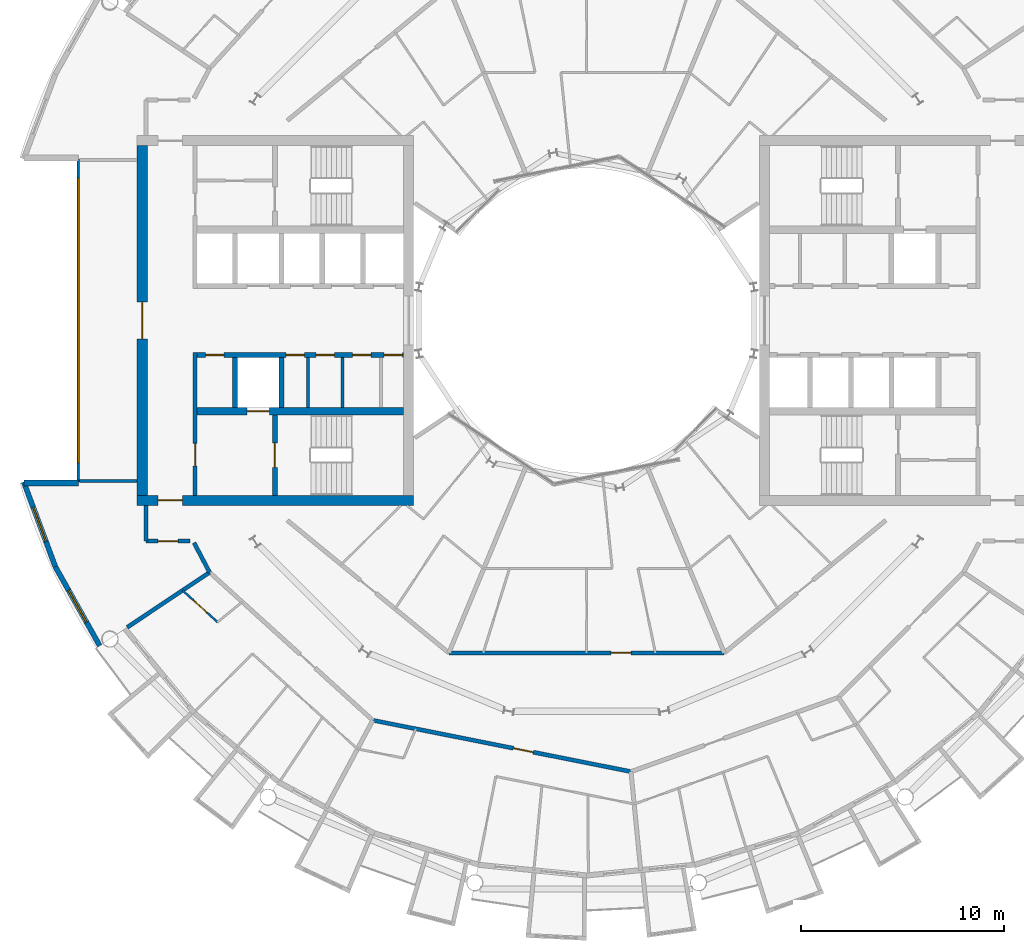
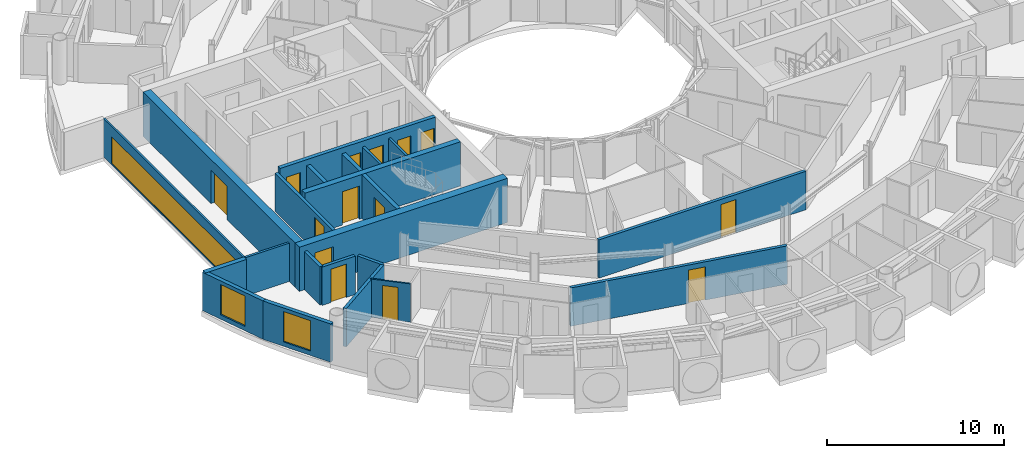
# One storey, part 15 of 26: 22 walls, 14 doors, 3 windows, 17 openings.
"""IFC4 building model written with IfcOpenShell, lengths in metres."""

from ifc_helpers import new_model, si_unit, direction, frame, frame_2d, origin, place, context, subcontext, project, spatial, rectangle, extrude, material, layer, layer_set, type_object, element, fill, save


model = new_model("IFC4")

# Units and contexts
model_context = context("Model", 3, precision=1e-05, world=origin(), true_north=direction((0.0, 1.0)))
body_context = subcontext(model_context, "Body", "Model", "MODEL_VIEW")
ifc_project = project(units=[si_unit("LENGTHUNIT", "METRE"), si_unit("AREAUNIT", "SQUARE_METRE"), si_unit("VOLUMEUNIT", "CUBIC_METRE"), si_unit("PLANEANGLEUNIT", "RADIAN"), si_unit("MASSUNIT", "GRAM", prefix="KILO")], contexts=[model_context])

# Site, building, storey
site_placement = place(None, origin())
site = spatial("IfcSite", under=ifc_project, at=site_placement, CompositionType="ELEMENT")
building_placement = place(site_placement, origin())
building = spatial("IfcBuilding", under=site, at=building_placement, Name="Maasbend Ring Residences", CompositionType="ELEMENT")
storey_placement = place(building_placement, frame((0.0, 0.0, 176.85009765625)))
storey = spatial("IfcBuildingStorey", under=building, at=storey_placement, Name="L51", CompositionType="ELEMENT", Elevation=176.85009765625)

# Wall, openings, doors
ifc_material_1 = material(Name="Concrete C60/75", Category="concrete")
ifc_layer_1 = layer(ifc_material_1, 0.25)
ifc_layer_set_1 = layer_set([ifc_layer_1], Name="Concrete C60/75")
wall_type_1 = type_object("IfcWallType", Name="CORE WALL 250 C60/75", PredefinedType="SHEAR", material=ifc_layer_set_1)
wall_1_placement = place(storey_placement, frame((-9.0, -1.699951171875, 0.0), z_axis=(0.0, 0.0, 1.0), x_axis=(-1.0, 0.0, 0.0)))
wall_1 = element("IfcWall", 1, at=wall_1_placement, inside=storey, type_object=wall_type_1, Name="L51 core W wall SPN", PredefinedType="SHEAR", context=body_context, shape_type="SweptSolid", body=[
    extrude(rectangle(XDim=10.14990234375, YDim=0.25, at=frame_2d((5.074951171875, 0.0))), origin(), (0.0, 0.0, 1.0), 3.0498046875),
])
opening_1_placement = place(wall_1_placement, frame((0.0625, 0.0, 0.0)))
opening_1 = element("IfcOpeningElement", 2, at=opening_1_placement, cuts=wall_1, Name="Opening D-W5106", PredefinedType="OPENING", context=body_context, shape_type="SweptSolid", body=[
    extrude(rectangle(XDim=0.89990234375, YDim=2.300048828125, at=frame_2d((0.449951171875, 1.14990234375))), frame((0.0, 0.135009765625, 0.0), z_axis=(0.0, -1.0, 0.0), x_axis=(1.0, 0.0, 0.0)), (0.0, 0.0, 1.0), 0.27001953125),
])
opening_2_placement = place(wall_1_placement, frame((1.60009765625, 0.0, 0.0)))
opening_2 = element("IfcOpeningElement", 3, at=opening_2_placement, cuts=wall_1, Name="Opening D-W5107", PredefinedType="OPENING", context=body_context, shape_type="SweptSolid", body=[
    extrude(rectangle(XDim=0.89990234375, YDim=2.300048828125, at=frame_2d((0.449951171875, 1.14990234375))), frame((0.0, 0.135009765625, 0.0), z_axis=(0.0, -1.0, 0.0), x_axis=(1.0, 0.0, 0.0)), (0.0, 0.0, 1.0), 0.27001953125),
])
opening_3_placement = place(wall_1_placement, frame((3.39990234375, 0.0, 0.0)))
opening_3 = element("IfcOpeningElement", 4, at=opening_3_placement, cuts=wall_1, Name="Opening D-W5108", PredefinedType="OPENING", context=body_context, shape_type="SweptSolid", body=[
    extrude(rectangle(XDim=0.89990234375, YDim=2.300048828125, at=frame_2d((0.449951171875, 1.14990234375))), frame((0.0, 0.135009765625, 0.0), z_axis=(0.0, -1.0, 0.0), x_axis=(1.0, 0.0, 0.0)), (0.0, 0.0, 1.0), 0.27001953125),
])
opening_4_placement = place(wall_1_placement, frame((4.875, 0.0, 0.0)))
opening_4 = element("IfcOpeningElement", 5, at=opening_4_placement, cuts=wall_1, Name="Opening D-W5109", PredefinedType="OPENING", context=body_context, shape_type="SweptSolid", body=[
    extrude(rectangle(XDim=0.89990234375, YDim=2.300048828125, at=frame_2d((0.449951171875, 1.14990234375))), frame((0.0, 0.135009765625, 0.0), z_axis=(0.0, -1.0, 0.0), x_axis=(1.0, 0.0, 0.0)), (0.0, 0.0, 1.0), 0.27001953125),
])
opening_5_placement = place(wall_1_placement, frame((8.83740234375, 0.0, 0.0)))
opening_5 = element("IfcOpeningElement", 6, at=opening_5_placement, cuts=wall_1, Name="Opening D-W5110", PredefinedType="OPENING", context=body_context, shape_type="SweptSolid", body=[
    extrude(rectangle(XDim=0.89990234375, YDim=2.300048828125, at=frame_2d((0.449951171875, 1.14990234375))), frame((0.0, 0.135009765625, 0.0), z_axis=(0.0, -1.0, 0.0), x_axis=(1.0, 0.0, 0.0)), (0.0, 0.0, 1.0), 0.27001953125),
])
ifc_material_2 = material(Name="Steel, powder coated", Category="steel")
door_type_1 = type_object("IfcDoorType", Name="ROOM DOOR 900 X 2300 FD30S", OperationType="NOTDEFINED", PredefinedType="DOOR", material=ifc_material_2)
door_1_placement = place(opening_1_placement, origin())
door_1 = element("IfcDoor", 7, at=door_1_placement, inside=storey, type_object=door_type_1, Name="Room door L51", OperationType="SINGLE_SWING_RIGHT", OverallHeight=2.300048828125, OverallWidth=0.89990234375, PredefinedType="DOOR", context=body_context, shape_type="SweptSolid", body=[
    extrude(rectangle(XDim=0.89990234375, YDim=2.300048828125, at=frame_2d((0.449951171875, 1.14990234375))), frame((0.0, 0.02490234375, 0.0), z_axis=(0.0, -1.0, 0.0), x_axis=(1.0, 0.0, 0.0)), (0.0, 0.0, 1.0), 0.050048828125),
])
fill(opening_1, door_1)
door_2_placement = place(opening_2_placement, origin())
door_2 = element("IfcDoor", 8, at=door_2_placement, inside=storey, type_object=door_type_1, Name="Room door L51", OperationType="SINGLE_SWING_RIGHT", OverallHeight=2.300048828125, OverallWidth=0.89990234375, PredefinedType="DOOR", context=body_context, shape_type="SweptSolid", body=[
    extrude(rectangle(XDim=0.89990234375, YDim=2.300048828125, at=frame_2d((0.449951171875, 1.14990234375))), frame((0.0, 0.02490234375, 0.0), z_axis=(0.0, -1.0, 0.0), x_axis=(1.0, 0.0, 0.0)), (0.0, 0.0, 1.0), 0.050048828125),
])
fill(opening_2, door_2)
door_3_placement = place(opening_3_placement, origin())
door_3 = element("IfcDoor", 9, at=door_3_placement, inside=storey, type_object=door_type_1, Name="Room door L51", OperationType="SINGLE_SWING_RIGHT", OverallHeight=2.300048828125, OverallWidth=0.89990234375, PredefinedType="DOOR", context=body_context, shape_type="SweptSolid", body=[
    extrude(rectangle(XDim=0.89990234375, YDim=2.300048828125, at=frame_2d((0.449951171875, 1.14990234375))), frame((0.0, 0.02490234375, 0.0), z_axis=(0.0, -1.0, 0.0), x_axis=(1.0, 0.0, 0.0)), (0.0, 0.0, 1.0), 0.050048828125),
])
fill(opening_3, door_3)
door_4_placement = place(opening_4_placement, origin())
door_4 = element("IfcDoor", 10, at=door_4_placement, inside=storey, type_object=door_type_1, Name="Room door L51", OperationType="SINGLE_SWING_LEFT", OverallHeight=2.300048828125, OverallWidth=0.89990234375, PredefinedType="DOOR", context=body_context, shape_type="SweptSolid", body=[
    extrude(rectangle(XDim=0.89990234375, YDim=2.300048828125, at=frame_2d((0.449951171875, 1.14990234375))), frame((0.0, 0.02490234375, 0.0), z_axis=(0.0, -1.0, 0.0), x_axis=(1.0, 0.0, 0.0)), (0.0, 0.0, 1.0), 0.050048828125),
])
fill(opening_4, door_4)
door_5_placement = place(opening_5_placement, origin())
door_5 = element("IfcDoor", 11, at=door_5_placement, inside=storey, type_object=door_type_1, Name="Room door L51", OperationType="SINGLE_SWING_LEFT", OverallHeight=2.300048828125, OverallWidth=0.89990234375, PredefinedType="DOOR", context=body_context, shape_type="SweptSolid", body=[
    extrude(rectangle(XDim=0.89990234375, YDim=2.300048828125, at=frame_2d((0.449951171875, 1.14990234375))), frame((0.0, 0.02490234375, 0.0), z_axis=(0.0, -1.0, 0.0), x_axis=(1.0, 0.0, 0.0)), (0.0, 0.0, 1.0), 0.050048828125),
])
fill(opening_5, door_5)

# Wall, opening, door
wall_2_placement = place(storey_placement, frame((-15.324951171875, -4.64990234375, 0.0), z_axis=(0.0, 0.0, 1.0), x_axis=(0.0, -1.0, 0.0)))
wall_2 = element("IfcWall", 12, at=wall_2_placement, inside=storey, type_object=wall_type_1, Name="L51 core W wall STEN", PredefinedType="SHEAR", context=body_context, shape_type="SweptSolid", body=[
    extrude(rectangle(XDim=3.9501953125, YDim=0.25, at=frame_2d((1.97509765625, 0.0))), origin(), (0.0, 0.0, 1.0), 3.0498046875),
])
opening_6_placement = place(wall_2_placement, frame((1.375, 0.0, 0.0)))
opening_6 = element("IfcOpeningElement", 13, at=opening_6_placement, cuts=wall_2, Name="Opening D-W5112", PredefinedType="OPENING", context=body_context, shape_type="SweptSolid", body=[
    extrude(rectangle(XDim=1.199951171875, YDim=2.300048828125, at=frame_2d((0.60009765625, 1.14990234375))), frame((0.0, 0.135009765625, 0.0), z_axis=(0.0, -1.0, 0.0), x_axis=(1.0, 0.0, 0.0)), (0.0, 0.0, 1.0), 0.27001953125),
])
ifc_material_3 = material(Name="Steel, powder coated", Category="steel")
door_type_2 = type_object("IfcDoorType", Name="STAIR DOOR 1200 X 2300 FD60", OperationType="NOTDEFINED", PredefinedType="DOOR", material=ifc_material_3)
door_6_placement = place(opening_6_placement, origin())
door_6 = element("IfcDoor", 14, at=door_6_placement, inside=storey, type_object=door_type_2, Name="Stair door ST-W L51", OperationType="SINGLE_SWING_LEFT", OverallHeight=2.300048828125, OverallWidth=1.199951171875, PredefinedType="DOOR", context=body_context, shape_type="SweptSolid", body=[
    extrude(rectangle(XDim=1.199951171875, YDim=2.300048828125, at=frame_2d((0.60009765625, 1.14990234375))), frame((0.0, 0.02490234375, 0.0), z_axis=(0.0, -1.0, 0.0), x_axis=(1.0, 0.0, 0.0)), (0.0, 0.0, 1.0), 0.050048828125),
])
fill(opening_6, door_6)

ifc_material_4 = material(Name="Concrete C60/75", Category="concrete")
ifc_layer_2 = layer(ifc_material_4, 0.375)
ifc_layer_set_2 = layer_set([ifc_layer_2], Name="Concrete C60/75")
wall_type_2 = type_object("IfcWallType", Name="CORE WALL 375 C60/75", PredefinedType="SHEAR", material=ifc_layer_set_2)
wall_3_placement = place(storey_placement, frame((-9.0, -4.46240234375, 0.0), z_axis=(0.0, 0.0, 1.0), x_axis=(-1.0, 0.0, 0.0)))
wall_3 = element("IfcWall", 15, at=wall_3_placement, inside=storey, type_object=wall_type_2, Name="L51 core W wall BN", PredefinedType="SHEAR", context=body_context, shape_type="SweptSolid", body=[
    extrude(rectangle(XDim=10.14990234375, YDim=0.375, at=frame_2d((5.074951171875, 0.0))), origin(), (0.0, 0.0, 1.0), 3.0498046875),
])
opening_7_placement = place(wall_3_placement, frame((6.60009765625, 0.0, 0.0)))
opening_7 = element("IfcOpeningElement", 16, at=opening_7_placement, cuts=wall_3, Name="Opening LD-W5101", PredefinedType="OPENING", context=body_context, shape_type="SweptSolid", body=[
    extrude(rectangle(XDim=1.10009765625, YDim=2.300048828125, at=frame_2d((0.550048828125, 1.14990234375))), frame((0.0, 0.197509765625, 0.0), z_axis=(0.0, -1.0, 0.0), x_axis=(1.0, 0.0, 0.0)), (0.0, 0.0, 1.0), 0.39501953125),
])
ifc_material_5 = material(Name="Stainless steel 316", Category="steel")
door_type_3 = type_object("IfcDoorType", Name="LANDING DOOR 1100 X 2300 FD60", OperationType="DOUBLE_DOOR_SLIDING", PredefinedType="DOOR", material=ifc_material_5)
door_7_placement = place(opening_7_placement, origin())
door_7 = element("IfcDoor", 17, at=door_7_placement, inside=storey, type_object=door_type_3, Name="Landing door FF-W L51", OperationType="DOUBLE_DOOR_SLIDING", OverallHeight=2.300048828125, OverallWidth=1.10009765625, PredefinedType="DOOR", context=body_context, shape_type="SweptSolid", body=[
    extrude(rectangle(XDim=1.10009765625, YDim=2.300048828125, at=frame_2d((0.550048828125, 1.14990234375))), frame((0.0, 0.02490234375, 0.0), z_axis=(0.0, -1.0, 0.0), x_axis=(1.0, 0.0, 0.0)), (0.0, 0.0, 1.0), 0.050048828125),
])
fill(opening_7, door_7)

ifc_material_6 = material(Name="Concrete C60/75", Category="concrete")
ifc_layer_3 = layer(ifc_material_6, 0.5)
ifc_layer_set_3 = layer_set([ifc_layer_3], Name="Concrete C60/75")
wall_type_3 = type_object("IfcWallType", Name="CORE WALL 500 C60/75", PredefinedType="SHEAR", material=ifc_layer_set_3)
wall_4_placement = place(storey_placement, frame((-22.10009765625, -8.85009765625, 0.0), z_axis=(0.0, 0.0, 1.0), x_axis=(1.0, 0.0, 0.0)))
wall_4 = element("IfcWall", 18, at=wall_4_placement, inside=storey, type_object=wall_type_3, Name="L51 core W wall PN", PredefinedType="SHEAR", context=body_context, shape_type="SweptSolid", body=[
    extrude(rectangle(XDim=13.60009765625, YDim=0.5, at=frame_2d((6.800048828125, 0.0))), origin(), (0.0, 0.0, 1.0), 3.0498046875),
])
opening_8_placement = place(wall_4_placement, frame((1.02490234375, 0.0, 0.0)))
opening_8 = element("IfcOpeningElement", 19, at=opening_8_placement, cuts=wall_4, Name="Opening D-W5116", PredefinedType="OPENING", context=body_context, shape_type="SweptSolid", body=[
    extrude(rectangle(XDim=1.199951171875, YDim=2.300048828125, at=frame_2d((0.60009765625, 1.14990234375))), frame((0.0, 0.260009765625, 0.0), z_axis=(0.0, -1.0, 0.0), x_axis=(1.0, 0.0, 0.0)), (0.0, 0.0, 1.0), 0.52001953125),
])
ifc_material_7 = material(Name="Steel, powder coated", Category="steel")
door_type_4 = type_object("IfcDoorType", Name="CORRIDOR DOOR 1200 X 2300 FD30S", OperationType="NOTDEFINED", PredefinedType="DOOR", material=ifc_material_7)
door_8_placement = place(opening_8_placement, origin())
door_8 = element("IfcDoor", 20, at=door_8_placement, inside=storey, type_object=door_type_4, Name="Corridor door L51", OperationType="SINGLE_SWING_RIGHT", OverallHeight=2.300048828125, OverallWidth=1.199951171875, PredefinedType="DOOR", context=body_context, shape_type="SweptSolid", body=[
    extrude(rectangle(XDim=1.199951171875, YDim=2.300048828125, at=frame_2d((0.60009765625, 1.14990234375))), frame((0.0, 0.02490234375, 0.0), z_axis=(0.0, -1.0, 0.0), x_axis=(1.0, 0.0, 0.0)), (0.0, 0.0, 1.0), 0.050048828125),
])
fill(opening_8, door_8)

wall_5_placement = place(storey_placement, frame((-21.85009765625, -8.60009765625, 0.0), z_axis=(0.0, 0.0, 1.0), x_axis=(0.0, 1.0, 0.0)))
wall_5 = element("IfcWall", 21, at=wall_5_placement, inside=storey, type_object=wall_type_3, Name="L51 core W wall POUT", PredefinedType="SHEAR", context=body_context, shape_type="SweptSolid", body=[
    extrude(rectangle(XDim=17.2001953125, YDim=0.5, at=frame_2d((8.60009765625, 0.0))), origin(), (0.0, 0.0, 1.0), 3.0498046875),
])
opening_9_placement = place(wall_5_placement, frame((7.699951171875, 0.0, 0.0)))
opening_9 = element("IfcOpeningElement", 22, at=opening_9_placement, cuts=wall_5, Name="Opening D-W5118", PredefinedType="OPENING", context=body_context, shape_type="SweptSolid", body=[
    extrude(rectangle(XDim=1.800048828125, YDim=2.300048828125, at=frame_2d((0.89990234375, 1.14990234375))), frame((0.0, 0.260009765625, 0.0), z_axis=(0.0, -1.0, 0.0), x_axis=(1.0, 0.0, 0.0)), (0.0, 0.0, 1.0), 0.52001953125),
])
ifc_material_8 = material(Name="Aluminium frame, clear glass", Category="aluminium")
door_type_5 = type_object("IfcDoorType", Name="ENTRANCE DOOR 1800 X 2300 FD60", OperationType="NOTDEFINED", PredefinedType="DOOR", material=ifc_material_8)
door_9_placement = place(opening_9_placement, origin())
door_9 = element("IfcDoor", 23, at=door_9_placement, inside=storey, type_object=door_type_5, Name="Lobby glazed door L51", OperationType="SINGLE_SWING_LEFT", OverallHeight=2.300048828125, OverallWidth=1.800048828125, PredefinedType="DOOR", context=body_context, shape_type="SweptSolid", body=[
    extrude(rectangle(XDim=1.800048828125, YDim=2.300048828125, at=frame_2d((0.89990234375, 1.14990234375))), frame((0.0, 0.02490234375, 0.0), z_axis=(0.0, -1.0, 0.0), x_axis=(1.0, 0.0, 0.0)), (0.0, 0.0, 1.0), 0.050048828125),
])
fill(opening_9, door_9)

# Wall
ifc_material_9 = material(Name="Concrete C30/37", Category="concrete")
ifc_layer_4 = layer(ifc_material_9, 0.199951171875)
ifc_layer_set_4 = layer_set([ifc_layer_4], Name="Concrete C30/37")
wall_type_4 = type_object("IfcWallType", Name="CORRIDOR WALL 200 CONCRETE", PredefinedType="PARTITIONING", material=ifc_layer_set_4)
wall_6_placement = place(storey_placement, frame((-19.306884765625, -10.93505859375, 0.0), z_axis=(0.0, 0.0, 1.0), x_axis=(0.465605550524, -0.884992356646, 0.0)))
element("IfcWall", 24, at=wall_6_placement, inside=storey, type_object=wall_type_4, Name="U-L51-w009", PredefinedType="PARTITIONING", context=body_context, shape_type="SweptSolid", body=[
    extrude(rectangle(XDim=1.642822265625, YDim=0.199951171875, at=frame_2d((0.8212890625, 0.0))), origin(), (0.0, 0.0, 1.0), 2.64990234375),
])

# Wall, opening, door
wall_7_placement = place(storey_placement, frame((-10.511962890625, -19.6669921875, 0.0), z_axis=(0.0, 0.0, 1.0), x_axis=(0.980780341017, -0.195115152343, 0.0)))
wall_7 = element("IfcWall", 25, at=wall_7_placement, inside=storey, type_object=wall_type_4, Name="U-L51-w016", PredefinedType="PARTITIONING", context=body_context, shape_type="SweptSolid", body=[
    extrude(rectangle(XDim=12.94677734375, YDim=0.199951171875, at=frame_2d((6.473388671875, 0.0))), origin(), (0.0, 0.0, 1.0), 2.64990234375),
])
opening_10_placement = place(wall_7_placement, frame((7.052001953125, 0.0, 0.0)))
opening_10 = element("IfcOpeningElement", 26, at=opening_10_placement, cuts=wall_7, Name="Opening D-5138", PredefinedType="OPENING", context=body_context, shape_type="SweptSolid", body=[
    extrude(rectangle(XDim=1.0, YDim=2.300048828125, at=frame_2d((0.5, 1.14990234375))), frame((0.0, 0.10986328125, 0.0), z_axis=(0.0, -1.0, 0.0), x_axis=(1.0, 0.0, 0.0)), (0.0, 0.0, 1.0), 0.219970703125),
])
ifc_material_10 = material(Name="Timber, fire-rated, painted", Category="wood")
door_type_6 = type_object("IfcDoorType", Name="FLAT ENTRANCE DOOR 1000 X 2300 FIRE-RATED", OperationType="NOTDEFINED", PredefinedType="DOOR", material=ifc_material_10)
door_10_placement = place(opening_10_placement, origin())
door_10 = element("IfcDoor", 27, at=door_10_placement, inside=storey, type_object=door_type_6, Name="D-5138", OperationType="SINGLE_SWING_RIGHT", OverallHeight=2.300048828125, OverallWidth=1.0, PredefinedType="DOOR", context=body_context, shape_type="SweptSolid", body=[
    extrude(rectangle(XDim=1.0, YDim=2.300048828125, at=frame_2d((0.5, 1.14990234375))), frame((0.0, 0.02490234375, 0.0), z_axis=(0.0, -1.0, 0.0), x_axis=(1.0, 0.0, 0.0)), (0.0, 0.0, 1.0), 0.050048828125),
])
fill(opening_10, door_10)

wall_8_placement = place(storey_placement, frame((-6.77294921875, -16.35302734375, 0.0), z_axis=(0.0, 0.0, 1.0), x_axis=(1.0, 0.0, 0.0)))
wall_8 = element("IfcWall", 28, at=wall_8_placement, inside=storey, type_object=wall_type_4, Name="U-L51-w019", PredefinedType="PARTITIONING", context=body_context, shape_type="SweptSolid", body=[
    extrude(rectangle(XDim=13.5458984375, YDim=0.199951171875, at=frame_2d((6.77294921875, 0.0))), origin(), (0.0, 0.0, 1.0), 2.64990234375),
])
opening_11_placement = place(wall_8_placement, frame((7.966064453125, 0.0, 0.0)))
opening_11 = element("IfcOpeningElement", 29, at=opening_11_placement, cuts=wall_8, Name="Opening D-5156", PredefinedType="OPENING", context=body_context, shape_type="SweptSolid", body=[
    extrude(rectangle(XDim=1.0, YDim=2.300048828125, at=frame_2d((0.5, 1.14990234375))), frame((0.0, 0.10986328125, 0.0), z_axis=(0.0, -1.0, 0.0), x_axis=(1.0, 0.0, 0.0)), (0.0, 0.0, 1.0), 0.219970703125),
])
door_11_placement = place(opening_11_placement, origin())
door_11 = element("IfcDoor", 30, at=door_11_placement, inside=storey, type_object=door_type_6, Name="D-5156", OperationType="SINGLE_SWING_RIGHT", OverallHeight=2.300048828125, OverallWidth=1.0, PredefinedType="DOOR", context=body_context, shape_type="SweptSolid", body=[
    extrude(rectangle(XDim=1.0, YDim=2.300048828125, at=frame_2d((0.5, 1.14990234375))), frame((0.0, 0.02490234375, 0.0), z_axis=(0.0, -1.0, 0.0), x_axis=(1.0, 0.0, 0.0)), (0.0, 0.0, 1.0), 0.050048828125),
])
fill(opening_11, door_11)

wall_9_placement = place(storey_placement, frame((-21.675048828125, -10.85009765625, 0.0), z_axis=(0.0, 0.0, 1.0), x_axis=(1.0, 0.0, 0.0)))
wall_9 = element("IfcWall", 31, at=wall_9_placement, inside=storey, type_object=wall_type_4, Name="U-L51-w026", PredefinedType="PARTITIONING", context=body_context, shape_type="SweptSolid", body=[
    extrude(rectangle(XDim=2.171142578125, YDim=0.199951171875, at=frame_2d((1.08544921875, 0.0))), origin(), (0.0, 0.0, 1.0), 2.64990234375),
])
opening_12_placement = place(wall_9_placement, frame((0.5849609375, 0.0, 0.0)))
opening_12 = element("IfcOpeningElement", 32, at=opening_12_placement, cuts=wall_9, Name="Opening D-5165", PredefinedType="OPENING", context=body_context, shape_type="SweptSolid", body=[
    extrude(rectangle(XDim=1.0, YDim=2.300048828125, at=frame_2d((0.5, 1.14990234375))), frame((0.0, 0.10986328125, 0.0), z_axis=(0.0, -1.0, 0.0), x_axis=(1.0, 0.0, 0.0)), (0.0, 0.0, 1.0), 0.219970703125),
])
ifc_material_11 = material(Name="Timber, painted", Category="wood")
door_type_7 = type_object("IfcDoorType", Name="ROOM DOOR 1000 X 2300", OperationType="NOTDEFINED", PredefinedType="DOOR", material=ifc_material_11)
door_12_placement = place(opening_12_placement, origin())
door_12 = element("IfcDoor", 33, at=door_12_placement, inside=storey, type_object=door_type_7, Name="D-5165", OperationType="SINGLE_SWING_LEFT", OverallHeight=2.300048828125, OverallWidth=1.0, PredefinedType="DOOR", context=body_context, shape_type="SweptSolid", body=[
    extrude(rectangle(XDim=1.0, YDim=2.300048828125, at=frame_2d((0.5, 1.14990234375))), frame((0.0, 0.02490234375, 0.0), z_axis=(0.0, -1.0, 0.0), x_axis=(1.0, 0.0, 0.0)), (0.0, 0.0, 1.0), 0.050048828125),
])
fill(opening_12, door_12)

# Wall
wall_10_placement = place(storey_placement, frame((-21.675048828125, -10.85009765625, 0.0), z_axis=(0.0, 0.0, 1.0), x_axis=(0.0, 1.0, 0.0)))
element("IfcWall", 34, at=wall_10_placement, inside=storey, type_object=wall_type_4, Name="U-L51-w108", PredefinedType="PARTITIONING", context=body_context, shape_type="SweptSolid", body=[
    extrude(rectangle(XDim=1.75, YDim=0.199951171875, at=frame_2d((0.875, 0.0))), origin(), (0.0, 0.0, 1.0), 2.64990234375),
])

# Wall, opening, window
ifc_material_12 = material(Name="Aluminium clad insulated panel", Category="aluminium")
ifc_layer_5 = layer(ifc_material_12, 0.25)
ifc_layer_set_5 = layer_set([ifc_layer_5], Name="EW-HORN")
wall_type_5 = type_object("IfcWallType", Name="EW-HORN", PredefinedType="SOLIDWALL", material=ifc_layer_set_5)
wall_11_placement = place(storey_placement, frame((-27.681884765625, -7.945068359375, 0.0), z_axis=(0.0, 0.0, 1.0), x_axis=(0.349247811493, -0.937030397675, 0.0)))
wall_11 = element("IfcWall", 35, at=wall_11_placement, inside=storey, type_object=wall_type_5, Name="Horn wall 3.1", PredefinedType="SOLIDWALL", context=body_context, shape_type="SweptSolid", body=[
    extrude(rectangle(XDim=4.4521484375, YDim=0.25, at=frame_2d((2.22607421875, 0.0))), origin(), (0.0, 0.0, 1.0), 2.64990234375),
])
opening_13_placement = place(wall_11_placement, frame((1.32666015625, 0.0, 0.300048828125)))
opening_13 = element("IfcOpeningElement", 36, at=opening_13_placement, cuts=wall_11, Name="Opening W-BX", PredefinedType="OPENING", context=body_context, shape_type="SweptSolid", body=[
    extrude(rectangle(XDim=1.800048828125, YDim=2.10009765625, at=frame_2d((0.89990234375, 1.050048828125))), frame((0.0, 0.135009765625, 0.0), z_axis=(0.0, -1.0, 0.0), x_axis=(1.0, 0.0, 0.0)), (0.0, 0.0, 1.0), 0.27001953125),
])
ifc_material_13 = material(Name="Aluminium and clear glass", Category="aluminium")
window_type_1 = type_object("IfcWindowType", Name="W-BX", PartitioningType="DOUBLE_PANEL_VERTICAL", PredefinedType="WINDOW", material=ifc_material_13)
window_1_placement = place(opening_13_placement, origin())
window_1 = element("IfcWindow", 37, at=window_1_placement, inside=storey, type_object=window_type_1, Name="Horn window 3.1", OverallHeight=2.10009765625, OverallWidth=1.800048828125, PartitioningType="SINGLE_PANEL", PredefinedType="WINDOW", context=body_context, shape_type="SweptSolid", body=[
    extrude(rectangle(XDim=1.800048828125, YDim=2.10009765625, at=frame_2d((0.89990234375, 1.050048828125))), frame((0.0, 0.030029296875, 0.0), z_axis=(0.0, -1.0, 0.0), x_axis=(1.0, 0.0, 0.0)), (0.0, 0.0, 1.0), 0.06005859375),
])
fill(opening_13, window_1)

wall_12_placement = place(storey_placement, frame((-26.126953125, -12.116943359375, 0.0), z_axis=(0.0, 0.0, 1.0), x_axis=(0.489696356642, -0.871893042919, 0.0)))
wall_12 = element("IfcWall", 38, at=wall_12_placement, inside=storey, type_object=wall_type_5, Name="Horn wall 3.2", PredefinedType="SOLIDWALL", context=body_context, shape_type="SweptSolid", body=[
    extrude(rectangle(XDim=4.45361328125, YDim=0.25, at=frame_2d((2.226806640625, 0.0))), origin(), (0.0, 0.0, 1.0), 2.64990234375),
])
opening_14_placement = place(wall_12_placement, frame((1.32666015625, 0.0, 0.300048828125)))
opening_14 = element("IfcOpeningElement", 39, at=opening_14_placement, cuts=wall_12, Name="Opening W-BX", PredefinedType="OPENING", context=body_context, shape_type="SweptSolid", body=[
    extrude(rectangle(XDim=1.800048828125, YDim=2.10009765625, at=frame_2d((0.89990234375, 1.050048828125))), frame((0.0, 0.135009765625, 0.0), z_axis=(0.0, -1.0, 0.0), x_axis=(1.0, 0.0, 0.0)), (0.0, 0.0, 1.0), 0.27001953125),
])
window_2_placement = place(opening_14_placement, origin())
window_2 = element("IfcWindow", 40, at=window_2_placement, inside=storey, type_object=window_type_1, Name="Horn window 3.2", OverallHeight=2.10009765625, OverallWidth=1.800048828125, PartitioningType="SINGLE_PANEL", PredefinedType="WINDOW", context=body_context, shape_type="SweptSolid", body=[
    extrude(rectangle(XDim=1.800048828125, YDim=2.10009765625, at=frame_2d((0.89990234375, 1.050048828125))), frame((0.0, 0.030029296875, 0.0), z_axis=(0.0, -1.0, 0.0), x_axis=(1.0, 0.0, 0.0)), (0.0, 0.0, 1.0), 0.06005859375),
])
fill(opening_14, window_2)

# Wall
ifc_material_14 = material(Name="Aluminium clad insulated panel", Category="aluminium")
ifc_layer_6 = layer(ifc_material_14, 0.300048828125)
ifc_layer_set_6 = layer_set([ifc_layer_6], Name="EW-RET")
wall_type_6 = type_object("IfcWallType", Name="EW-RET", PredefinedType="SOLIDWALL", material=ifc_layer_set_6)
wall_13_placement = place(storey_placement, frame((-25.0, -8.0, 0.0), z_axis=(0.0, 0.0, 1.0), x_axis=(-1.0, 0.0, 0.0)))
element("IfcWall", 41, at=wall_13_placement, inside=storey, type_object=wall_type_6, Name="Notch return wall west south", PredefinedType="SOLIDWALL", context=body_context, shape_type="SweptSolid", body=[
    extrude(rectangle(XDim=2.6669921875, YDim=0.300048828125, at=frame_2d((1.33349609375, 0.0))), origin(), (0.0, 0.0, 1.0), 2.64990234375),
])

# Wall, opening, window
ifc_material_15 = material(Name="Aluminium frame and clear glass", Category="aluminium")
ifc_layer_7 = layer(ifc_material_15, 0.1201171875)
ifc_layer_set_7 = layer_set([ifc_layer_7], Name="GLAZED SCREEN WALL 120 EI 60")
wall_type_7 = type_object("IfcWallType", Name="GLAZED SCREEN WALL 120 EI 60", PredefinedType="PARTITIONING", material=ifc_layer_set_7)
wall_14_placement = place(storey_placement, frame((-25.0, 7.949951171875, 0.0), z_axis=(0.0, 0.0, 1.0), x_axis=(0.0, -1.0, 0.0)))
wall_14 = element("IfcWall", 42, at=wall_14_placement, inside=storey, type_object=wall_type_7, Name="L51 core W wall FACE", PredefinedType="PARTITIONING", context=body_context, shape_type="SweptSolid", body=[
    extrude(rectangle(XDim=15.89990234375, YDim=0.1201171875, at=frame_2d((7.949951171875, 0.0))), origin(), (0.0, 0.0, 1.0), 2.64990234375),
])
opening_15_placement = place(wall_14_placement, frame((0.949951171875, 0.0, 0.10009765625)))
opening_15 = element("IfcOpeningElement", 43, at=opening_15_placement, cuts=wall_14, Name="Opening W-W5102", PredefinedType="OPENING", context=body_context, shape_type="SweptSolid", body=[
    extrude(rectangle(XDim=14.0, YDim=1.85009765625, at=frame_2d((7.0, 0.925048828125))), frame((0.0, 0.070068359375, 0.0), z_axis=(0.0, -1.0, 0.0), x_axis=(1.0, 0.0, 0.0)), (0.0, 0.0, 1.0), 0.14013671875),
])
ifc_material_16 = material(Name="Aluminium frame and clear glass", Category="aluminium")
window_type_2 = type_object("IfcWindowType", Name="FIXED WINDOW 14000 X 1850", PartitioningType="SINGLE_PANEL", PredefinedType="WINDOW", material=ifc_material_16)
window_3_placement = place(opening_15_placement, origin())
window_3 = element("IfcWindow", 44, at=window_3_placement, inside=storey, type_object=window_type_2, Name="Lobby window L51", OverallHeight=1.85009765625, OverallWidth=14.0, PartitioningType="SINGLE_PANEL", PredefinedType="WINDOW", context=body_context, shape_type="SweptSolid", body=[
    extrude(rectangle(XDim=14.0, YDim=1.85009765625, at=frame_2d((7.0, 0.925048828125))), frame((0.0, 0.030029296875, 0.0), z_axis=(0.0, -1.0, 0.0), x_axis=(1.0, 0.0, 0.0)), (0.0, 0.0, 1.0), 0.06005859375),
])
fill(opening_15, window_3)

# Wall, opening, door
ifc_material_17 = material(Name="Gypsum board on steel studs", Category="steel")
ifc_layer_8 = layer(ifc_material_17, 0.10009765625)
ifc_layer_set_8 = layer_set([ifc_layer_8], Name="PARTITION 100 GYPSUM")
wall_type_8 = type_object("IfcWallType", Name="PARTITION 100 GYPSUM", PredefinedType="PARTITIONING", material=ifc_layer_set_8)
wall_15_placement = place(storey_placement, frame((-19.8720703125, -13.278076171875, 0.0), z_axis=(0.0, 0.0, 1.0), x_axis=(0.740990220108, -0.671515817911, 0.0)))
wall_15 = element("IfcWall", 45, at=wall_15_placement, inside=storey, type_object=wall_type_8, Name="U-L51-w003", PredefinedType="PARTITIONING", context=body_context, shape_type="SweptSolid", body=[
    extrude(rectangle(XDim=2.32275390625, YDim=0.10009765625, at=frame_2d((1.161376953125, 0.0))), origin(), (0.0, 0.0, 1.0), 2.64990234375),
])
opening_16_placement = place(wall_15_placement, frame((0.7109375, 0.0, 0.0)))
opening_16 = element("IfcOpeningElement", 46, at=opening_16_placement, cuts=wall_15, Name="Opening D-5134", PredefinedType="OPENING", context=body_context, shape_type="SweptSolid", body=[
    extrude(rectangle(XDim=0.89990234375, YDim=2.300048828125, at=frame_2d((0.449951171875, 1.14990234375))), frame((0.0, 0.06005859375, 0.0), z_axis=(0.0, -1.0, 0.0), x_axis=(1.0, 0.0, 0.0)), (0.0, 0.0, 1.0), 0.1201171875),
])
ifc_material_18 = material(Name="Timber, painted", Category="wood")
door_type_8 = type_object("IfcDoorType", Name="INTERNAL DOOR 900 X 2300", OperationType="NOTDEFINED", PredefinedType="DOOR", material=ifc_material_18)
door_13_placement = place(opening_16_placement, origin())
door_13 = element("IfcDoor", 47, at=door_13_placement, inside=storey, type_object=door_type_8, Name="D-5134", OperationType="SINGLE_SWING_RIGHT", OverallHeight=2.300048828125, OverallWidth=0.89990234375, PredefinedType="DOOR", context=body_context, shape_type="SweptSolid", body=[
    extrude(rectangle(XDim=0.89990234375, YDim=2.300048828125, at=frame_2d((0.449951171875, 1.14990234375))), frame((0.0, 0.02490234375, 0.0), z_axis=(0.0, -1.0, 0.0), x_axis=(1.0, 0.0, 0.0)), (0.0, 0.0, 1.0), 0.050048828125),
])
fill(opening_16, door_13)

# Walls
ifc_material_19 = material(Name="Gypsum board on steel studs", Category="steel")
ifc_layer_9 = layer(ifc_material_19, 0.14990234375)
ifc_layer_set_9 = layer_set([ifc_layer_9], Name="PARTITION 150 EI 60")
wall_type_9 = type_object("IfcWallType", Name="PARTITION 150 EI 60", PredefinedType="PARTITIONING", material=ifc_layer_set_9)
for number, where, z_axis, x_axis, name in (
    (48, (-12.0, -1.824951171875, 0.0), (0.0, 0.0, 1.0), (0.0, -1.0, 0.0), "L51 core W wall PRN1200"),
    (49, (-13.699951171875, -1.824951171875, 0.0), (0.0, 0.0, 1.0), (0.0, -1.0, 0.0), "L51 core W wall PRN1370"),
):
    element("IfcWall", number, at=place(storey_placement, frame(where, z_axis=z_axis, x_axis=x_axis)), inside=storey, type_object=wall_type_9, Name=name, PredefinedType="PARTITIONING", context=body_context, shape_type="SweptSolid", body=[
        extrude(rectangle(XDim=2.449951171875, YDim=0.14990234375, at=frame_2d((1.22509765625, 0.0))), origin(), (0.0, 0.0, 1.0), 2.64990234375),
    ])
wall_16_placement = place(storey_placement, frame((-22.10009765625, -7.89990234375, 0.0), z_axis=(0.0, 0.0, 1.0), x_axis=(-1.0, 0.0, 0.0)))
element("IfcWall", 50, at=wall_16_placement, inside=storey, type_object=wall_type_9, Name="L51 core W wall CITN", PredefinedType="PARTITIONING", context=body_context, shape_type="SweptSolid", body=[
    extrude(rectangle(XDim=2.83984375, YDim=0.14990234375, at=frame_2d((1.419921875, 0.0))), origin(), (0.0, 0.0, 1.0), 2.64990234375),
])
ifc_material_20 = material(Name="Concrete C30/37", Category="concrete")
ifc_layer_10 = layer(ifc_material_20, 0.199951171875)
ifc_layer_set_10 = layer_set([ifc_layer_10], Name="Concrete C30/37")
wall_type_10 = type_object("IfcWallType", Name="PARTY WALL 200 CONCRETE", PredefinedType="PARTITIONING", material=ifc_layer_set_10)
wall_17_placement = place(storey_placement, frame((-22.594970703125, -15.097900390625, 0.0), z_axis=(0.0, 0.0, 1.0), x_axis=(0.831387096605, 0.55569370664, 0.0)))
element("IfcWall", 51, at=wall_17_placement, inside=storey, type_object=wall_type_10, Name="U-L51-w033", PredefinedType="PARTITIONING", context=body_context, shape_type="SweptSolid", body=[
    extrude(rectangle(XDim=4.875, YDim=0.199951171875, at=frame_2d((2.4375, 0.0))), origin(), (0.0, 0.0, 1.0), 2.64990234375),
])

# Wall, opening, door
ifc_material_21 = material(Name="Concrete C30/37", Category="concrete")
ifc_layer_11 = layer(ifc_material_21, 0.199951171875)
ifc_layer_set_11 = layer_set([ifc_layer_11], Name="Concrete C30/37")
wall_type_11 = type_object("IfcWallType", Name="SHAFT WALL 200 EI 120", PredefinedType="SOLIDWALL", material=ifc_layer_set_11)
wall_18_placement = place(storey_placement, frame((-19.25, -1.574951171875, 0.0), z_axis=(0.0, 0.0, 1.0), x_axis=(0.0, -1.0, 0.0)))
wall_18 = element("IfcWall", 52, at=wall_18_placement, inside=storey, type_object=wall_type_11, Name="L51 core W wall ENDN", PredefinedType="SOLIDWALL", context=body_context, shape_type="SweptSolid", body=[
    extrude(rectangle(XDim=7.025146484375, YDim=0.199951171875, at=frame_2d((3.5126953125, 0.0))), origin(), (0.0, 0.0, 1.0), 2.64990234375),
])
opening_17_placement = place(wall_18_placement, frame((4.47509765625, 0.0, 0.0)))
opening_17 = element("IfcOpeningElement", 53, at=opening_17_placement, cuts=wall_18, Name="Opening D-W5114", PredefinedType="OPENING", context=body_context, shape_type="SweptSolid", body=[
    extrude(rectangle(XDim=1.10009765625, YDim=2.300048828125, at=frame_2d((0.550048828125, 1.14990234375))), frame((0.0, 0.10986328125, 0.0), z_axis=(0.0, -1.0, 0.0), x_axis=(1.0, 0.0, 0.0)), (0.0, 0.0, 1.0), 0.219970703125),
])
ifc_material_22 = material(Name="Steel, powder coated", Category="steel")
door_type_9 = type_object("IfcDoorType", Name="LOBBY DOOR 1100 X 2300 FD60", OperationType="NOTDEFINED", PredefinedType="DOOR", material=ifc_material_22)
door_14_placement = place(opening_17_placement, origin())
door_14 = element("IfcDoor", 54, at=door_14_placement, inside=storey, type_object=door_type_9, Name="Lobby door L51", OperationType="SINGLE_SWING_LEFT", OverallHeight=2.300048828125, OverallWidth=1.10009765625, PredefinedType="DOOR", context=body_context, shape_type="SweptSolid", body=[
    extrude(rectangle(XDim=1.10009765625, YDim=2.300048828125, at=frame_2d((0.550048828125, 1.14990234375))), frame((0.0, 0.02490234375, 0.0), z_axis=(0.0, -1.0, 0.0), x_axis=(1.0, 0.0, 0.0)), (0.0, 0.0, 1.0), 0.050048828125),
])
fill(opening_17, door_14)

# Walls
ifc_material_23 = material(Name="Concrete C30/37", Category="concrete")
ifc_layer_12 = layer(ifc_material_23, 0.25)
ifc_layer_set_12 = layer_set([ifc_layer_12], Name="Concrete C30/37")
wall_type_12 = type_object("IfcWallType", Name="SHAFT WALL 250 EI 120", PredefinedType="SOLIDWALL", material=ifc_layer_set_12)
for number, where, z_axis, x_axis, name in (
    (55, (-15.0, -1.824951171875, 0.0), (0.0, 0.0, 1.0), (0.0, -1.0, 0.0), "L51 core W wall D150N"),
    (56, (-17.300048828125, -1.824951171875, 0.0), (0.0, 0.0, 1.0), (0.0, -1.0, 0.0), "L51 core W wall D173N"),
):
    element("IfcWall", number, at=place(storey_placement, frame(where, z_axis=z_axis, x_axis=x_axis)), inside=storey, type_object=wall_type_12, Name=name, PredefinedType="SOLIDWALL", context=body_context, shape_type="SweptSolid", body=[
        extrude(rectangle(XDim=2.449951171875, YDim=0.25, at=frame_2d((1.22509765625, 0.0))), origin(), (0.0, 0.0, 1.0), 2.64990234375),
    ])

save(model, "model.ifc")
